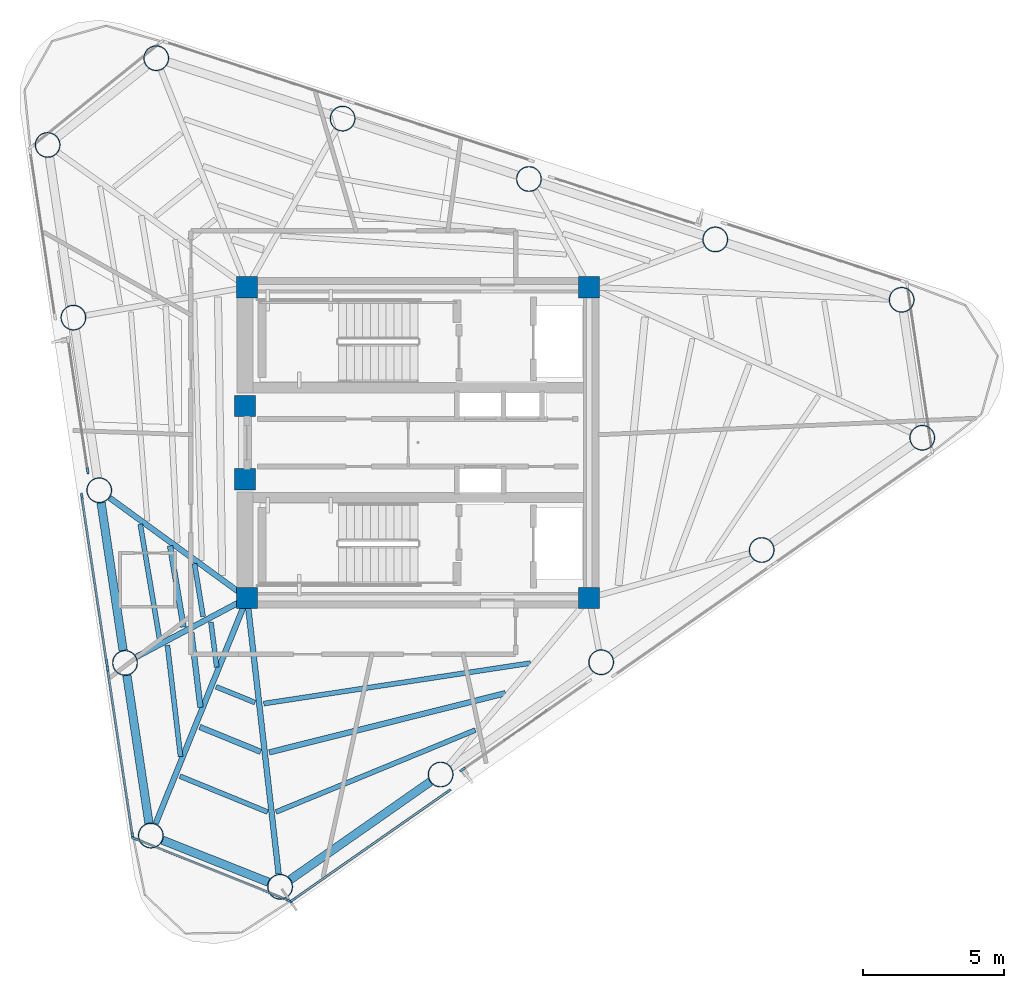
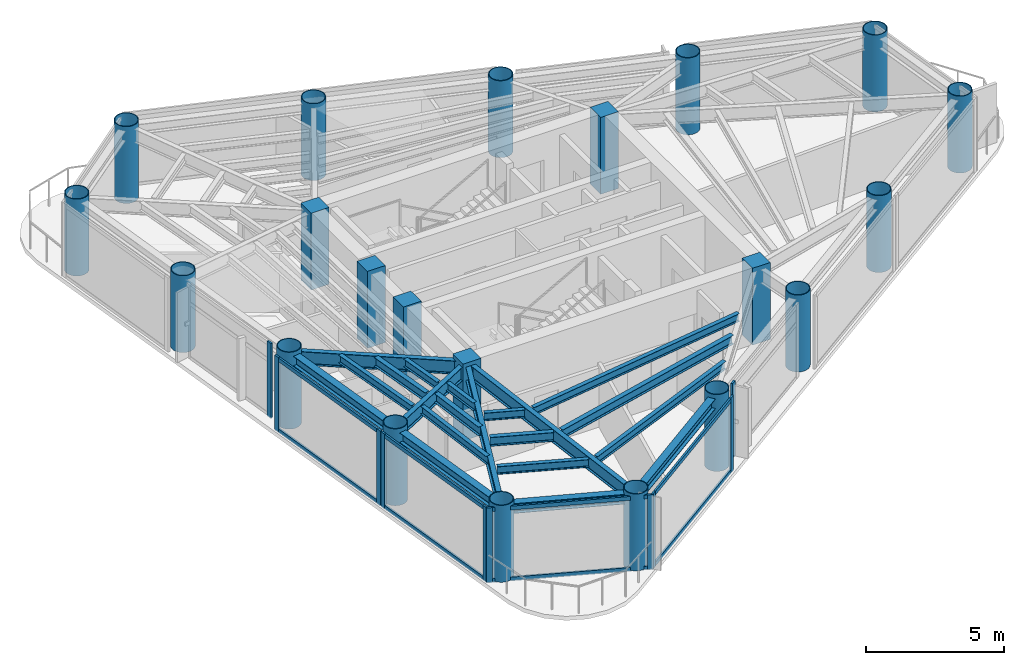
# One storey, part 1 of 9: 21 columns, 20 beams, 18 members, 6 elements without a shape of their own.
"""IFC4 building model written with IfcOpenShell, lengths in metres."""

import ifcopenshell
import ifcopenshell.guid

model = None  # the IFC model being written
_history = None  # IfcOwnerHistory: only IFC2X3 demands one
_inside = {}  # id of a spatial element -> (the spatial element, [elements in it])
_under = {}  # id of a project, library or spatial element -> (it, [spatial elements below it])
_declared = {}  # id of a project -> (the project, [libraries it declares])
_typed = {}  # id of a type object -> (the type object, [elements of that type])
_made_of = {}  # id of a material, layer set ... -> (it, [elements and type objects made of it])


def new_model(schema):
    """Start an empty IFC model of exactly this schema.

    Asked for "IFC4X3", IfcOpenShell would pick the latest addendum, in which some entities
    have other attributes; the version numbers below select the first issue.
    IFC2X3 requires an IfcOwnerHistory on every rooted entity: one is made here for all.
    """
    global model, _history
    if schema == "IFC4X3":
        model = ifcopenshell.file(schema_version=(4, 3, 0, 0))
    else:
        model = ifcopenshell.file(schema=schema)
    _inside.clear()
    _under.clear()
    _declared.clear()
    _typed.clear()
    _made_of.clear()
    _history = None
    if model.schema == "IFC2X3":
        org = make("IfcOrganization", Name="unknown")
        user = make(
            "IfcPersonAndOrganization",
            ThePerson=make("IfcPerson", FamilyName="unknown"),
            TheOrganization=org,
        )
        app = make(
            "IfcApplication",
            ApplicationDeveloper=org,
            Version="unknown",
            ApplicationFullName="unknown",
            ApplicationIdentifier="unknown",
        )
        _history = make(
            "IfcOwnerHistory",
            OwningUser=user,
            OwningApplication=app,
            ChangeAction="ADDED",
            CreationDate=0,
        )
    return model


def make(cls, **values):
    """One entity of the class cls with the attributes given. An attribute that is None is left unset."""
    return model.create_entity(
        cls, **{name: value for name, value in values.items() if value is not None}
    )


def rooted(cls, **values):
    """An entity with a GlobalId (a new one), such as an element, a storey or a relation."""
    return make(cls, GlobalId=ifcopenshell.guid.new(), OwnerHistory=_history, **values)


def si_unit(unit_type, name, prefix=None):
    """IfcSIUnit, for example si_unit("LENGTHUNIT", "METRE", prefix="MILLI")."""
    return make("IfcSIUnit", UnitType=unit_type, Prefix=prefix, Name=name)


def assignment(units):
    """IfcUnitAssignment: the units of a project."""
    return None if units is None else make("IfcUnitAssignment", Units=units)


def point(xyz):
    """IfcCartesianPoint."""
    return None if xyz is None else make("IfcCartesianPoint", Coordinates=xyz)


def direction(xyz):
    """IfcDirection."""
    return None if xyz is None else make("IfcDirection", DirectionRatios=xyz)


def frame(location, z_axis=None, x_axis=None):
    """IfcAxis2Placement3D, a coordinate frame: its origin and axes. An axis left out is left unset."""
    return make(
        "IfcAxis2Placement3D",
        Location=point(location),
        Axis=direction(z_axis),
        RefDirection=direction(x_axis),
    )


def frame_2d(location, x_axis=None):
    """IfcAxis2Placement2D, a coordinate frame in the plane: its origin and x axis."""
    return make(
        "IfcAxis2Placement2D", Location=point(location), RefDirection=direction(x_axis)
    )


def origin():
    """The frame at (0, 0, 0) with its axes left unset."""
    return frame((0.0, 0.0, 0.0))


def origin_2d():
    """The frame at (0, 0) in the plane with its x axis left unset."""
    return frame_2d((0.0, 0.0))


def place(relative_to, where):
    """IfcLocalPlacement: puts the frame where relative to a parent placement (None: the world)."""
    return make(
        "IfcLocalPlacement", PlacementRelTo=relative_to, RelativePlacement=where
    )


def context(
    kind, dimensions, precision=None, world=None, true_north=None, identifier=None
):
    """IfcGeometricRepresentationContext, for example the 3D "Model" context."""
    return make(
        "IfcGeometricRepresentationContext",
        ContextIdentifier=identifier,
        ContextType=kind,
        CoordinateSpaceDimension=dimensions,
        Precision=precision,
        WorldCoordinateSystem=world,
        TrueNorth=true_north,
    )


def subcontext(parent, identifier, kind, view, scale=None):
    """IfcGeometricRepresentationSubContext, for example "Body" below "Model"."""
    return make(
        "IfcGeometricRepresentationSubContext",
        ContextIdentifier=identifier,
        ContextType=kind,
        ParentContext=parent,
        TargetScale=scale,
        TargetView=view,
    )


def project(units=None, contexts=None):
    """IfcProject with its units and contexts."""
    return rooted(
        "IfcProject",
        Name="project",
        RepresentationContexts=contexts,
        UnitsInContext=assignment(units),
    )


def spatial(cls, under=None, at=None, **own):
    """A site, building, storey or space (cls), placed at a placement, below another one or the project."""
    s = rooted(cls, ObjectPlacement=at, **own)
    if under is not None:
        _under.setdefault(under.id(), (under, []))[1].append(s)
    return s


def profile(cls, at=None, kind="AREA", **sizes):
    """A parametric profile (cls). Its sizes go by their IFC names, for example OverallWidth=200.0."""
    return make(cls, ProfileType=kind, Position=at, **sizes)


def rectangle(**sizes):
    """IfcRectangleProfileDef."""
    return profile("IfcRectangleProfileDef", **sizes)


def hollow_circle(**sizes):
    """IfcCircleHollowProfileDef."""
    return profile("IfcCircleHollowProfileDef", **sizes)


def i_section(**sizes):
    """IfcIShapeProfileDef."""
    return profile("IfcIShapeProfileDef", **sizes)


def extrude(swept, where, along, depth):
    """IfcExtrudedAreaSolid: the profile swept, set in the frame where, extruded along a direction by depth."""
    return make(
        "IfcExtrudedAreaSolid",
        SweptArea=swept,
        Position=where,
        ExtrudedDirection=direction(along),
        Depth=depth,
    )


def shape(context_of_items, identifier, shape_type, items):
    """IfcShapeRepresentation: the items that make up one representation, for example the "Body"."""
    return make(
        "IfcShapeRepresentation",
        ContextOfItems=context_of_items,
        RepresentationIdentifier=identifier,
        RepresentationType=shape_type,
        Items=items,
    )


def source(mapping_origin, context_of_items, identifier, shape_type, items):
    """IfcRepresentationMap: a shape defined once, which mapped items show again and again."""
    return make(
        "IfcRepresentationMap",
        MappingOrigin=mapping_origin,
        MappedRepresentation=shape(context_of_items, identifier, shape_type, items),
    )


def transform(
    local_origin,
    x_axis=None,
    y_axis=None,
    z_axis=None,
    scale=None,
    scale2=None,
    scale3=None,
    uniform=True,
):
    """IfcCartesianTransformationOperator3D, or its non-uniform kind. x_axis, y_axis, z_axis: its Axis1, 2, 3."""
    if uniform:
        return make(
            "IfcCartesianTransformationOperator3D",
            Axis1=direction(x_axis),
            Axis2=direction(y_axis),
            LocalOrigin=point(local_origin),
            Scale=scale,
            Axis3=direction(z_axis),
        )
    return make(
        "IfcCartesianTransformationOperator3DnonUniform",
        Axis1=direction(x_axis),
        Axis2=direction(y_axis),
        LocalOrigin=point(local_origin),
        Scale=scale,
        Axis3=direction(z_axis),
        Scale2=scale2,
        Scale3=scale3,
    )


def mapped(mapping_source, mapping_target):
    """IfcMappedItem: shows the shape of a source again, moved by a transform."""
    return make(
        "IfcMappedItem", MappingSource=mapping_source, MappingTarget=mapping_target
    )


def material(Name=None, Category=None):
    """IfcMaterial."""
    return make("IfcMaterial", Name=Name, Category=Category)


def layer(
    of_material, thickness, ventilated=None, Name=None, Category=None, Priority=None
):
    """IfcMaterialLayer: one layer of a wall or slab, of a material (None: an air gap)."""
    return make(
        "IfcMaterialLayer",
        Material=of_material,
        LayerThickness=thickness,
        IsVentilated=ventilated,
        Name=Name,
        Category=Category,
        Priority=Priority,
    )


def layer_set(layers, Name=None):
    """IfcMaterialLayerSet."""
    return make("IfcMaterialLayerSet", MaterialLayers=layers, LayerSetName=Name)


def material_profile(
    of_material, cross_section, Name=None, Category=None, Priority=None
):
    """IfcMaterialProfile: a cross section and its material."""
    return make(
        "IfcMaterialProfile",
        Name=Name,
        Material=of_material,
        Profile=cross_section,
        Priority=Priority,
        Category=Category,
    )


def profile_set(profiles, Name=None, composite=None):
    """IfcMaterialProfileSet."""
    return make(
        "IfcMaterialProfileSet",
        Name=Name,
        MaterialProfiles=profiles,
        CompositeProfile=composite,
    )


def made_of(thing, what):
    """Note that an element or type object is made of a material, layer set ...; save() writes the relation."""
    if what is not None:
        _made_of.setdefault(what.id(), (what, []))[1].append(thing)
    return thing


def type_object(cls, material=None, **own):
    """A type object (cls), such as IfcWallType, which elements share."""
    return made_of(rooted(cls, **own), material)


def element(
    cls,
    number,
    at=None,
    inside=None,
    cuts=None,
    type_object=None,
    material=None,
    context=None,
    identifier="Body",
    shape_type=None,
    held_by="IfcProductDefinitionShape",
    body=None,
    shapes=None,
    **own,
):
    """One element of the class cls, such as IfcWall. Its Tag is "e" and its number.

    at: its placement. inside: the storey or other place that contains it. cuts: it is an
    opening in that element (IfcRelVoidsElement). A single representation is given by context,
    identifier, shape_type and body (its items); several are given by shapes. held_by: the class
    of the entity that holds the representations. save() writes the other relations.
    """
    e = rooted(cls, Tag="e%d" % number, ObjectPlacement=at, **own)
    if body is not None:
        shapes = [shape(context, identifier, shape_type, body)]
    if shapes is not None:
        e.Representation = make(held_by, Representations=shapes)
    if inside is not None:
        _inside.setdefault(inside.id(), (inside, []))[1].append(e)
    if cuts is not None:
        rooted(
            "IfcRelVoidsElement", RelatingBuildingElement=cuts, RelatedOpeningElement=e
        )
    if type_object is not None:
        _typed.setdefault(type_object.id(), (type_object, []))[1].append(e)
    return made_of(e, material)


def aggregate(whole, parts):
    """IfcRelAggregates: a whole, such as a stair, and the parts it consists of."""
    return rooted("IfcRelAggregates", RelatingObject=whole, RelatedObjects=parts)


def save(model, path):
    """Write the relations noted so far, then the file.

    IfcRelAggregates (storeys below a building ...), IfcRelContainedInSpatialStructure (elements
    in a storey), IfcRelDefinesByType, IfcRelAssociatesMaterial and IfcRelDeclares: one each for
    every whole, place, type object, material and project.
    """
    for whole, parts in _under.values():
        aggregate(whole, parts)
    for where, things in _inside.values():
        rooted(
            "IfcRelContainedInSpatialStructure",
            RelatedElements=things,
            RelatingStructure=where,
        )
    for kind, things in _typed.values():
        rooted("IfcRelDefinesByType", RelatedObjects=things, RelatingType=kind)
    for what, things in _made_of.values():
        rooted("IfcRelAssociatesMaterial", RelatedObjects=things, RelatingMaterial=what)
    for by, libraries in _declared.values():
        rooted("IfcRelDeclares", RelatingContext=by, RelatedDefinitions=libraries)
    model.write(path)


model = new_model("IFC4")

# Units and contexts
model_context = context("Model", 3, precision=1e-05, world=origin(), true_north=direction((0.0, 1.0)))
body_context = subcontext(model_context, "Body", "Model", "MODEL_VIEW")
ifc_project = project(units=[si_unit("LENGTHUNIT", "METRE"), si_unit("AREAUNIT", "SQUARE_METRE"), si_unit("VOLUMEUNIT", "CUBIC_METRE"), si_unit("PLANEANGLEUNIT", "RADIAN"), si_unit("MASSUNIT", "GRAM", prefix="KILO")], contexts=[model_context])

# Site, building, storey
site_placement = place(None, origin())
site = spatial("IfcSite", under=ifc_project, at=site_placement, CompositionType="ELEMENT")
building_placement = place(site_placement, origin())
building = spatial("IfcBuilding", under=site, at=building_placement, Name="Yunling Apex Tower", CompositionType="ELEMENT")
storey_placement = place(building_placement, frame((0.0, 0.0, 257.550048828125)))
storey = spatial("IfcBuildingStorey", under=building, at=storey_placement, Name="L62", CompositionType="ELEMENT", Elevation=257.550048828125)

# Columns
ifc_material_1 = material(Name="Concrete C50", Category="concrete")
ifc_material_profile_1 = material_profile(ifc_material_1, rectangle(XDim=0.75, YDim=0.75, at=origin_2d()))
ifc_profile_set_1 = profile_set([ifc_material_profile_1], Name="Concrete C50")
column_type_1 = type_object("IfcColumnType", Name="PC-SRC-4", PredefinedType="COLUMN", material=ifc_profile_set_1)
shared_shape_1 = source(origin(), body_context, "Body", "SweptSolid", [
    extrude(rectangle(XDim=0.75, YDim=0.75, at=origin_2d()), origin(), (0.0, 0.0, 1.0), 3.39990234375),
])
for number, where, z_axis, x_axis, name in (
    (1, (-6.050048828125, -5.5, 0.0), (0.0, 0.0, 1.0), (1.0, 0.0, 0.0), "L62 Core Spine Column CC-SW"),
    (2, (6.050048828125, -5.5, 0.0), (0.0, 0.0, 1.0), (1.0, 0.0, 0.0), "L62 Core Spine Column CC-SE"),
    (3, (6.050048828125, 5.5, 0.0), (0.0, 0.0, 1.0), (1.0, 0.0, 0.0), "L62 Core Spine Column CC-NE"),
    (4, (-6.050048828125, 5.5, 0.0), (0.0, 0.0, 1.0), (1.0, 0.0, 0.0), "L62 Core Spine Column CC-NW"),
    (5, (-6.125, -1.300048828125, 0.0), (0.0, 0.0, 1.0), (1.0, 0.0, 0.0), "L62 Core West Portal Jamb Column S"),
    (6, (-6.125, 1.300048828125, 0.0), (0.0, 0.0, 1.0), (1.0, 0.0, 0.0), "L62 Core West Portal Jamb Column N"),
):
    element("IfcColumn", number, at=place(storey_placement, frame(where, z_axis=z_axis, x_axis=x_axis)), inside=storey, type_object=column_type_1, Name=name, PredefinedType="COLUMN", context=body_context, shape_type="MappedRepresentation", body=[
        mapped(shared_shape_1, transform((0.0, 0.0, 0.0), scale=1.0)),
    ])
ifc_material_2 = material(Name="Steel Q355B", Category="steel")
ifc_material_profile_2 = material_profile(ifc_material_2, hollow_circle(Radius=0.449951171875, WallThickness=0.031982421875, at=origin_2d()))
ifc_profile_set_2 = profile_set([ifc_material_profile_2], Name="Steel Q355B")
column_type_2 = type_object("IfcColumnType", Name="MC-CFST-6", PredefinedType="COLUMN", material=ifc_profile_set_2)
shared_shape_2 = source(origin(), body_context, "Body", "SweptSolid", [
    extrude(hollow_circle(Radius=0.449951171875, WallThickness=0.031982421875, at=origin_2d()), origin(), (0.0, 0.0, 1.0), 3.39990234375),
])
for number, where, z_axis, x_axis, name in (
    (7, (-4.8837890625, -15.716796875, 0.0), (0.0, 0.0, 1.0), (1.0, 0.0, 0.0), "L62 Perimeter CFST Mega-Column P01"),
    (8, (0.797119140625, -11.744873046875, 0.0), (0.0, 0.0, 1.0), (1.0, 0.0, 0.0), "L62 Perimeter CFST Mega-Column P02"),
    (9, (6.47802734375, -7.77294921875, 0.0), (0.0, 0.0, 1.0), (1.0, 0.0, 0.0), "L62 Perimeter CFST Mega-Column P03"),
    (10, (12.15869140625, -3.801025390625, 0.0), (0.0, 0.0, 1.0), (1.0, 0.0, 0.0), "L62 Perimeter CFST Mega-Column P04"),
    (11, (17.839599609375, 0.1708984375, 0.0), (0.0, 0.0, 1.0), (1.0, 0.0, 0.0), "L62 Perimeter CFST Mega-Column P05"),
    (12, (17.110107421875, 5.052490234375, 0.0), (0.0, 0.0, 1.0), (1.0, 0.0, 0.0), "L62 Perimeter CFST Mega-Column P06"),
    (13, (10.51611328125, 7.18994140625, 0.0), (0.0, 0.0, 1.0), (1.0, 0.0, 0.0), "L62 Perimeter CFST Mega-Column P07"),
    (14, (3.92236328125, 9.327392578125, 0.0), (0.0, 0.0, 1.0), (1.0, 0.0, 0.0), "L62 Perimeter CFST Mega-Column P08"),
    (15, (-2.671630859375, 11.46484375, 0.0), (0.0, 0.0, 1.0), (1.0, 0.0, 0.0), "L62 Perimeter CFST Mega-Column P09"),
    (16, (-9.265625, 13.602294921875, 0.0), (0.0, 0.0, 1.0), (1.0, 0.0, 0.0), "L62 Perimeter CFST Mega-Column P10"),
    (17, (-13.10986328125, 10.532470703125, 0.0), (0.0, 0.0, 1.0), (1.0, 0.0, 0.0), "L62 Perimeter CFST Mega-Column P11"),
    (18, (-12.19677734375, 4.423095703125, 0.0), (0.0, 0.0, 1.0), (1.0, 0.0, 0.0), "L62 Perimeter CFST Mega-Column P12"),
    (19, (-11.28369140625, -1.686279296875, 0.0), (0.0, 0.0, 1.0), (1.0, 0.0, 0.0), "L62 Perimeter CFST Mega-Column P13"),
    (20, (-10.37060546875, -7.7958984375, 0.0), (0.0, 0.0, 1.0), (1.0, 0.0, 0.0), "L62 Perimeter CFST Mega-Column P14"),
    (21, (-9.45751953125, -13.9052734375, 0.0), (0.0, 0.0, 1.0), (1.0, 0.0, 0.0), "L62 Perimeter CFST Mega-Column P15"),
):
    element("IfcColumn", number, at=place(storey_placement, frame(where, z_axis=z_axis, x_axis=x_axis)), inside=storey, type_object=column_type_2, Name=name, PredefinedType="COLUMN", context=body_context, shape_type="MappedRepresentation", body=[
        mapped(shared_shape_2, transform((0.0, 0.0, 0.0), scale=1.0)),
    ])

# Beams
ifc_material_profile_3 = material_profile(ifc_material_2, i_section(OverallWidth=0.300048828125, OverallDepth=0.43994140625, WebThickness=0.010986328125, FlangeThickness=0.01806640625, FilletRadius=0.02197265625, at=origin_2d()))
ifc_profile_set_3 = profile_set([ifc_material_profile_3], Name="Steel Q355B")
beam_type_1 = type_object("IfcBeamType", Name="BP-SPN-3", PredefinedType="SPANDREL", material=ifc_profile_set_3)
shared_shape_3 = source(origin(), body_context, "Body", "SweptSolid", [
    extrude(i_section(OverallWidth=0.300048828125, OverallDepth=0.43994140625, WebThickness=0.010986328125, FlangeThickness=0.01806640625, FilletRadius=0.02197265625, at=origin_2d()), origin(), (0.0, 0.0, 1.0), 6.043701171875),
])
beam_1_placement = place(storey_placement, frame((-4.52001953125, -15.46240234375, 3.0), z_axis=(0.819546828705, 0.5730122124, 0.0), x_axis=(-0.5730122124, 0.819546828705, 0.0)))
element("IfcBeam", 22, at=beam_1_placement, inside=storey, type_object=beam_type_1, Name="L62 Perimeter Spandrel Beam 1", PredefinedType="SPANDREL", context=body_context, shape_type="MappedRepresentation", body=[
    mapped(shared_shape_3, transform((0.0, 0.0, 0.0), scale=1.0)),
])
shared_shape_4 = source(origin(), body_context, "Body", "SweptSolid", [
    extrude(i_section(OverallWidth=0.300048828125, OverallDepth=0.43994140625, WebThickness=0.010986328125, FlangeThickness=0.01806640625, FilletRadius=0.02197265625, at=origin_2d()), origin(), (0.0, 0.0, 1.0), 5.289306640625),
])
for number, where, z_axis, x_axis, name in (
    (23, (-11.218017578125, -2.12548828125, 3.0), (0.147796471114, -0.989017797174, 0.0), (0.989017797174, 0.147796471114, 0.0), "L62 Perimeter Spandrel Beam 13"),
    (24, (-10.304931640625, -8.23486328125, 3.0), (0.147796471114, -0.989017797174, 0.0), (0.989017797174, 0.147796471114, 0.0), "L62 Perimeter Spandrel Beam 14"),
):
    element("IfcBeam", number, at=place(storey_placement, frame(where, z_axis=z_axis, x_axis=x_axis)), inside=storey, type_object=beam_type_1, Name=name, PredefinedType="SPANDREL", context=body_context, shape_type="MappedRepresentation", body=[
        mapped(shared_shape_4, transform((0.0, 0.0, 0.0), scale=1.0)),
    ])
shared_shape_5 = source(origin(), body_context, "Body", "SweptSolid", [
    extrude(i_section(OverallWidth=0.300048828125, OverallDepth=0.43994140625, WebThickness=0.010986328125, FlangeThickness=0.01806640625, FilletRadius=0.02197265625, at=origin_2d()), origin(), (0.0, 0.0, 1.0), 4.03173828125),
])
beam_2_placement = place(storey_placement, frame((-9.044921875, -14.068603515625, 3.0), z_axis=(0.92970771396, -0.368298203368, 0.0), x_axis=(0.368298203368, 0.92970771396, 0.0)))
element("IfcBeam", 25, at=beam_2_placement, inside=storey, type_object=beam_type_1, Name="L62 Perimeter Spandrel Beam 15", PredefinedType="SPANDREL", context=body_context, shape_type="MappedRepresentation", body=[
    mapped(shared_shape_5, transform((0.0, 0.0, 0.0), scale=1.0)),
])
ifc_material_profile_4 = material_profile(ifc_material_2, i_section(OverallWidth=0.199951171875, OverallDepth=0.60009765625, WebThickness=0.010986328125, FlangeThickness=0.01708984375, FilletRadius=0.02197265625, at=origin_2d()))
ifc_profile_set_4 = profile_set([ifc_material_profile_4], Name="Steel Q355B")
beam_type_2 = type_object("IfcBeamType", Name="BG-PRI-5", PredefinedType="USERDEFINED", material=ifc_profile_set_4)
shared_shape_6 = source(origin(), body_context, "Body", "SweptSolid", [
    extrude(i_section(OverallWidth=0.199951171875, OverallDepth=0.60009765625, WebThickness=0.010986328125, FlangeThickness=0.01708984375, FilletRadius=0.02197265625, at=origin_2d()), origin(), (0.0, 0.0, 1.0), 9.745361328125),
])
beam_3_placement = place(storey_placement, frame((-4.935791015625, -15.261962890625, 2.919921875), z_axis=(-0.11341163891, 0.993548086486, 0.0), x_axis=(-0.993548086486, -0.11341163891, 0.0)))
element("IfcBeam", 26, at=beam_3_placement, inside=storey, type_object=beam_type_2, Name="L62 Radial Primary Girder R01", ObjectType="GIRDER", PredefinedType="USERDEFINED", context=body_context, shape_type="MappedRepresentation", body=[
    mapped(shared_shape_6, transform((0.0, 0.0, 0.0), scale=1.0)),
])
shared_shape_7 = source(origin(), body_context, "Body", "SweptSolid", [
    extrude(i_section(OverallWidth=0.199951171875, OverallDepth=0.60009765625, WebThickness=0.010986328125, FlangeThickness=0.01708984375, FilletRadius=0.02197265625, at=origin_2d()), origin(), (0.0, 0.0, 1.0), 5.937744140625),
])
beam_4_placement = place(storey_placement, frame((-10.91357421875, -1.9560546875, 2.919921875), z_axis=(0.808193442209, -0.588917107894, 0.0), x_axis=(0.588917107894, 0.808193442209, 0.0)))
element("IfcBeam", 27, at=beam_4_placement, inside=storey, type_object=beam_type_2, Name="L62 Radial Primary Girder R13", ObjectType="GIRDER", PredefinedType="USERDEFINED", context=body_context, shape_type="MappedRepresentation", body=[
    mapped(shared_shape_7, transform((0.0, 0.0, 0.0), scale=1.0)),
])
shared_shape_8 = source(origin(), body_context, "Body", "SweptSolid", [
    extrude(i_section(OverallWidth=0.199951171875, OverallDepth=0.60009765625, WebThickness=0.010986328125, FlangeThickness=0.01708984375, FilletRadius=0.02197265625, at=origin_2d()), origin(), (0.0, 0.0, 1.0), 4.354736328125),
])
beam_5_placement = place(storey_placement, frame((-9.96630859375, -7.580810546875, 2.919921875), z_axis=(0.883098298021, 0.469188017784, 0.0), x_axis=(-0.469188017784, 0.883098298021, 0.0)))
element("IfcBeam", 28, at=beam_5_placement, inside=storey, type_object=beam_type_2, Name="L62 Radial Primary Girder R14", ObjectType="GIRDER", PredefinedType="USERDEFINED", context=body_context, shape_type="MappedRepresentation", body=[
    mapped(shared_shape_8, transform((0.0, 0.0, 0.0), scale=1.0)),
])
shared_shape_9 = source(origin(), body_context, "Body", "SweptSolid", [
    extrude(i_section(OverallWidth=0.199951171875, OverallDepth=0.60009765625, WebThickness=0.010986328125, FlangeThickness=0.01708984375, FilletRadius=0.02197265625, at=origin_2d()), origin(), (0.0, 0.0, 1.0), 8.531494140625),
])
beam_6_placement = place(storey_placement, frame((-9.285400390625, -13.480712890625, 2.919921875), z_axis=(0.375703780252, 0.926739806798, 0.0), x_axis=(-0.926739806798, 0.375703780252, 0.0)))
element("IfcBeam", 29, at=beam_6_placement, inside=storey, type_object=beam_type_2, Name="L62 Radial Primary Girder R15", ObjectType="GIRDER", PredefinedType="USERDEFINED", context=body_context, shape_type="MappedRepresentation", body=[
    mapped(shared_shape_9, transform((0.0, 0.0, 0.0), scale=1.0)),
])
ifc_material_profile_5 = material_profile(ifc_material_2, i_section(OverallWidth=0.199951171875, OverallDepth=0.39990234375, WebThickness=0.008056640625, FlangeThickness=0.012939453125, FilletRadius=0.01611328125, at=origin_2d()))
ifc_profile_set_5 = profile_set([ifc_material_profile_5], Name="Steel Q355B")
beam_type_3 = type_object("IfcBeamType", Name="BS-SEC-4", PredefinedType="BEAM", material=ifc_profile_set_5)
shared_shape_10 = source(origin(), body_context, "Body", "SweptSolid", [
    extrude(i_section(OverallWidth=0.199951171875, OverallDepth=0.39990234375, WebThickness=0.008056640625, FlangeThickness=0.012939453125, FilletRadius=0.01611328125, at=origin_2d()), origin(), (0.0, 0.0, 1.0), 8.62109375),
])
beam_7_placement = place(storey_placement, frame((-5.266845703125, -10.962646484375, 3.02001953125), z_axis=(0.96999740229, 0.243115280374, 0.0), x_axis=(-0.243115280374, 0.96999740229, 0.0)))
element("IfcBeam", 30, at=beam_7_placement, inside=storey, type_object=beam_type_3, Name="L62 Composite Floor Beam BS-1", PredefinedType="BEAM", context=body_context, shape_type="MappedRepresentation", body=[
    mapped(shared_shape_10, transform((0.0, 0.0, 0.0), scale=1.0)),
])
ifc_material_profile_6 = material_profile(ifc_material_2, i_section(OverallWidth=0.175048828125, OverallDepth=0.35009765625, WebThickness=0.007080078125, FlangeThickness=0.010986328125, FilletRadius=0.013916015625, at=origin_2d()))
ifc_profile_set_6 = profile_set([ifc_material_profile_6], Name="Steel Q355B")
beam_type_4 = type_object("IfcBeamType", Name="BJ-JST-1", PredefinedType="JOIST", material=ifc_profile_set_6)
shared_shape_11 = source(origin(), body_context, "Body", "SweptSolid", [
    extrude(i_section(OverallWidth=0.175048828125, OverallDepth=0.35009765625, WebThickness=0.007080078125, FlangeThickness=0.010986328125, FilletRadius=0.013916015625, at=origin_2d()), origin(), (0.0, 0.0, 1.0), 7.626953125),
])
beam_8_placement = place(storey_placement, frame((-5.031005859375, -13.071044921875, 3.044921875), z_axis=(0.924936429691, 0.380121823934, 0.0), x_axis=(-0.380121823934, 0.924936429691, 0.0)))
element("IfcBeam", 31, at=beam_8_placement, inside=storey, type_object=beam_type_4, Name="L62 Composite Floor Joist BJ1-1", PredefinedType="JOIST", context=body_context, shape_type="MappedRepresentation", body=[
    mapped(shared_shape_11, transform((0.0, 0.0, 0.0), scale=1.0)),
])
shared_shape_12 = source(origin(), body_context, "Body", "SweptSolid", [
    extrude(i_section(OverallWidth=0.175048828125, OverallDepth=0.35009765625, WebThickness=0.007080078125, FlangeThickness=0.010986328125, FilletRadius=0.013916015625, at=origin_2d()), origin(), (0.0, 0.0, 1.0), 9.546630859375),
])
beam_9_placement = place(storey_placement, frame((-5.462646484375, -9.23486328125, 3.044921875), z_axis=(0.988668394837, 0.150115972004, 0.0), x_axis=(-0.150115972004, 0.988668394837, 0.0)))
element("IfcBeam", 32, at=beam_9_placement, inside=storey, type_object=beam_type_4, Name="L62 Composite Floor Joist BJ3-1", PredefinedType="JOIST", context=body_context, shape_type="MappedRepresentation", body=[
    mapped(shared_shape_12, transform((0.0, 0.0, 0.0), scale=1.0)),
])
shared_shape_13 = source(origin(), body_context, "Body", "SweptSolid", [
    extrude(i_section(OverallWidth=0.199951171875, OverallDepth=0.39990234375, WebThickness=0.008056640625, FlangeThickness=0.012939453125, FilletRadius=0.01611328125, at=origin_2d()), origin(), (0.0, 0.0, 1.0), 2.910400390625),
])
beam_10_placement = place(storey_placement, frame((-8.77587890625, -3.652587890625, 3.02001953125), z_axis=(0.163405899616, -0.986558924733, 0.0), x_axis=(0.986558924733, 0.163405899616, 0.0)))
element("IfcBeam", 33, at=beam_10_placement, inside=storey, type_object=beam_type_3, Name="L62 Composite Floor Beam BS-13", PredefinedType="BEAM", context=body_context, shape_type="MappedRepresentation", body=[
    mapped(shared_shape_13, transform((0.0, 0.0, 0.0), scale=1.0)),
])
shared_shape_14 = source(origin(), body_context, "Body", "SweptSolid", [
    extrude(i_section(OverallWidth=0.175048828125, OverallDepth=0.35009765625, WebThickness=0.007080078125, FlangeThickness=0.010986328125, FilletRadius=0.013916015625, at=origin_2d()), origin(), (0.0, 0.0, 1.0), 4.14697265625),
])
beam_11_placement = place(storey_placement, frame((-9.831298828125, -2.88330078125, 3.044921875), z_axis=(0.165134037528, -0.986271133943, 0.0), x_axis=(0.986271133943, 0.165134037528, 0.0)))
element("IfcBeam", 34, at=beam_11_placement, inside=storey, type_object=beam_type_4, Name="L62 Composite Floor Joist BJ1-13", PredefinedType="JOIST", context=body_context, shape_type="MappedRepresentation", body=[
    mapped(shared_shape_14, transform((0.0, 0.0, 0.0), scale=1.0)),
])
shared_shape_15 = source(origin(), body_context, "Body", "SweptSolid", [
    extrude(i_section(OverallWidth=0.175048828125, OverallDepth=0.35009765625, WebThickness=0.007080078125, FlangeThickness=0.010986328125, FilletRadius=0.013916015625, at=origin_2d()), origin(), (0.0, 0.0, 1.0), 1.898681640625),
])
beam_12_placement = place(storey_placement, frame((-7.91259765625, -4.281982421875, 3.044921875), z_axis=(0.160602772894, -0.987019123087, 0.0), x_axis=(0.987019123087, 0.160602772894, 0.0)))
element("IfcBeam", 35, at=beam_12_placement, inside=storey, type_object=beam_type_4, Name="L62 Composite Floor Joist BJ3-13", PredefinedType="JOIST", context=body_context, shape_type="MappedRepresentation", body=[
    mapped(shared_shape_15, transform((0.0, 0.0, 0.0), scale=1.0)),
])
shared_shape_16 = source(origin(), body_context, "Body", "SweptSolid", [
    extrude(i_section(OverallWidth=0.199951171875, OverallDepth=0.39990234375, WebThickness=0.008056640625, FlangeThickness=0.012939453125, FilletRadius=0.01611328125, at=origin_2d()), origin(), (0.0, 0.0, 1.0), 2.670166015625),
])
beam_13_placement = place(storey_placement, frame((-8.024169921875, -6.718017578125, 3.02001953125), z_axis=(0.12060169382, -0.992700977862, 0.0), x_axis=(0.992700977862, 0.12060169382, 0.0)))
element("IfcBeam", 36, at=beam_13_placement, inside=storey, type_object=beam_type_3, Name="L62 Composite Floor Beam BS-14", PredefinedType="BEAM", context=body_context, shape_type="MappedRepresentation", body=[
    mapped(shared_shape_16, transform((0.0, 0.0, 0.0), scale=1.0)),
])
shared_shape_17 = source(origin(), body_context, "Body", "SweptSolid", [
    extrude(i_section(OverallWidth=0.175048828125, OverallDepth=0.35009765625, WebThickness=0.007080078125, FlangeThickness=0.010986328125, FilletRadius=0.013916015625, at=origin_2d()), origin(), (0.0, 0.0, 1.0), 3.96728515625),
])
beam_14_placement = place(storey_placement, frame((-8.87060546875, -7.167724609375, 3.044921875), z_axis=(0.116919795798, -0.993141360205, 0.0), x_axis=(0.993141360205, 0.116919795798, 0.0)))
element("IfcBeam", 37, at=beam_14_placement, inside=storey, type_object=beam_type_4, Name="L62 Composite Floor Joist BJ1-14", PredefinedType="JOIST", context=body_context, shape_type="MappedRepresentation", body=[
    mapped(shared_shape_17, transform((0.0, 0.0, 0.0), scale=1.0)),
])
shared_shape_18 = source(origin(), body_context, "Body", "SweptSolid", [
    extrude(i_section(OverallWidth=0.175048828125, OverallDepth=0.35009765625, WebThickness=0.007080078125, FlangeThickness=0.010986328125, FilletRadius=0.013916015625, at=origin_2d()), origin(), (0.0, 0.0, 1.0), 1.608642578125),
])
beam_15_placement = place(storey_placement, frame((-7.330810546875, -6.35009765625, 3.044921875), z_axis=(0.12719111786, -0.99187822818, 0.0), x_axis=(0.99187822818, 0.12719111786, 0.0)))
element("IfcBeam", 38, at=beam_15_placement, inside=storey, type_object=beam_type_4, Name="L62 Composite Floor Joist BJ3-14", PredefinedType="JOIST", context=body_context, shape_type="MappedRepresentation", body=[
    mapped(shared_shape_18, transform((0.0, 0.0, 0.0), scale=1.0)),
])
shared_shape_19 = source(origin(), body_context, "Body", "SweptSolid", [
    extrude(i_section(OverallWidth=0.199951171875, OverallDepth=0.39990234375, WebThickness=0.008056640625, FlangeThickness=0.012939453125, FilletRadius=0.01611328125, at=origin_2d()), origin(), (0.0, 0.0, 1.0), 2.3291015625),
])
beam_16_placement = place(storey_placement, frame((-7.72705078125, -10.062255859375, 3.02001953125), z_axis=(0.926020445617, -0.377473355747, 0.0), x_axis=(0.377473355747, 0.926020445617, 0.0)))
element("IfcBeam", 39, at=beam_16_placement, inside=storey, type_object=beam_type_3, Name="L62 Composite Floor Beam BS-15", PredefinedType="BEAM", context=body_context, shape_type="MappedRepresentation", body=[
    mapped(shared_shape_19, transform((0.0, 0.0, 0.0), scale=1.0)),
])
shared_shape_20 = source(origin(), body_context, "Body", "SweptSolid", [
    extrude(i_section(OverallWidth=0.175048828125, OverallDepth=0.35009765625, WebThickness=0.007080078125, FlangeThickness=0.010986328125, FilletRadius=0.013916015625, at=origin_2d()), origin(), (0.0, 0.0, 1.0), 3.354736328125),
])
beam_17_placement = place(storey_placement, frame((-8.43212890625, -11.802001953125, 3.044921875), z_axis=(0.925654732165, -0.378369286306, 0.0), x_axis=(0.378369286306, 0.925654732165, 0.0)))
element("IfcBeam", 40, at=beam_17_placement, inside=storey, type_object=beam_type_4, Name="L62 Composite Floor Joist BJ1-15", PredefinedType="JOIST", context=body_context, shape_type="MappedRepresentation", body=[
    mapped(shared_shape_20, transform((0.0, 0.0, 0.0), scale=1.0)),
])
shared_shape_21 = source(origin(), body_context, "Body", "SweptSolid", [
    extrude(i_section(OverallWidth=0.175048828125, OverallDepth=0.35009765625, WebThickness=0.007080078125, FlangeThickness=0.010986328125, FilletRadius=0.013916015625, at=origin_2d()), origin(), (0.0, 0.0, 1.0), 1.48974609375),
])
beam_18_placement = place(storey_placement, frame((-7.14990234375, -8.638916015625, 3.044921875), z_axis=(0.926714592409, -0.375765970008, 0.0), x_axis=(0.375765970008, 0.926714592409, 0.0)))
element("IfcBeam", 41, at=beam_18_placement, inside=storey, type_object=beam_type_4, Name="L62 Composite Floor Joist BJ3-15", PredefinedType="JOIST", context=body_context, shape_type="MappedRepresentation", body=[
    mapped(shared_shape_21, transform((0.0, 0.0, 0.0), scale=1.0)),
])

# Curtain wall, members
ifc_material_3 = material(Name="Bronze anodised aluminium", Category="aluminium")
ifc_layer = layer(ifc_material_3, 0.219970703125)
ifc_layer_set = layer_set([ifc_layer], Name="Bronze anodised aluminium")
curtain_wall_type = type_object("IfcCurtainWallType", Name="CW-SYS-4", PredefinedType="NOTDEFINED", material=ifc_layer_set)
curtain_wall_1_placement = place(storey_placement, origin())
curtain_wall_1 = element("IfcCurtainWall", 42, at=curtain_wall_1_placement, inside=storey, type_object=curtain_wall_type, Name="CW-L62-F1-B1", PredefinedType="NOTDEFINED")
ifc_material_profile_7 = material_profile(ifc_material_3, rectangle(XDim=0.080078125, YDim=0.219970703125, at=origin_2d()))
ifc_profile_set_7 = profile_set([ifc_material_profile_7], Name="Bronze anodised aluminium")
member_type_1 = type_object("IfcMemberType", Name="CW-MUL-4", PredefinedType="MULLION", material=ifc_profile_set_7)
shared_shape_22 = source(origin(), body_context, "Body", "SweptSolid", [
    extrude(rectangle(XDim=0.080078125, YDim=0.219970703125, at=origin_2d()), origin(), (0.0, 0.0, 1.0), 3.320068359375),
])
member_1_placement = place(storey_placement, frame((-4.418701171875, -16.172607421875, -0.050048828125), z_axis=(0.0, 0.0, 1.0), x_axis=(-0.573000403744, 0.819555084976, 0.0)))
member_1 = element("IfcMember", 43, at=member_1_placement, type_object=member_type_1, Name="CW-SYS-4 mullion 1", PredefinedType="MULLION", context=body_context, shape_type="MappedRepresentation", body=[
    mapped(shared_shape_22, transform((0.0, 0.0, 0.0), scale=1.0)),
])
member_2_placement = place(storey_placement, frame((1.0654296875, -12.338134765625, -0.050048828125), z_axis=(0.0, 0.0, 1.0), x_axis=(-0.573000403744, 0.819555084976, 0.0)))
member_2 = element("IfcMember", 44, at=member_2_placement, type_object=member_type_1, Name="CW-SYS-4 mullion 2", PredefinedType="MULLION", context=body_context, shape_type="MappedRepresentation", body=[
    mapped(shared_shape_22, transform((0.0, 0.0, 0.0), scale=1.0)),
])

# Curtain wall, member
curtain_wall_2_placement = place(storey_placement, origin())
curtain_wall_2 = element("IfcCurtainWall", 45, at=curtain_wall_2_placement, inside=storey, type_object=curtain_wall_type, Name="CW-L62-F1-B2", PredefinedType="NOTDEFINED")
member_3_placement = place(storey_placement, frame((1.575439453125, -11.56689453125, -0.050048828125), z_axis=(0.0, 0.0, 1.0), x_axis=(-0.57299879219, 0.819556211708, 0.0)))
member_3 = element("IfcMember", 46, at=member_3_placement, type_object=member_type_1, Name="CW-SYS-4 mullion 1", PredefinedType="MULLION", context=body_context, shape_type="MappedRepresentation", body=[
    mapped(shared_shape_22, transform((0.0, 0.0, 0.0), scale=1.0)),
])
aggregate(curtain_wall_2, [member_3])

curtain_wall_3_placement = place(storey_placement, origin())
curtain_wall_3 = element("IfcCurtainWall", 47, at=curtain_wall_3_placement, inside=storey, type_object=curtain_wall_type, Name="CW-L62-F3-B2", PredefinedType="NOTDEFINED")
member_4_placement = place(storey_placement, frame((-11.689697265625, -0.998779296875, -0.050048828125), z_axis=(0.0, 0.0, 1.0), x_axis=(0.989016661745, 0.147804068926, 0.0)))
member_4 = element("IfcMember", 48, at=member_4_placement, type_object=member_type_1, Name="CW-SYS-4 mullion 2", PredefinedType="MULLION", context=body_context, shape_type="MappedRepresentation", body=[
    mapped(shared_shape_22, transform((0.0, 0.0, 0.0), scale=1.0)),
])
aggregate(curtain_wall_3, [member_4])

# Curtain wall, members
curtain_wall_4_placement = place(storey_placement, origin())
curtain_wall_4 = element("IfcCurtainWall", 49, at=curtain_wall_4_placement, inside=storey, type_object=curtain_wall_type, Name="CW-L62-F3-B3", PredefinedType="NOTDEFINED")
member_5_placement = place(storey_placement, frame((-11.89892578125, -1.899658203125, -0.050048828125), z_axis=(0.0, 0.0, 1.0), x_axis=(0.989016174309, 0.147807330522, 0.0)))
member_5 = element("IfcMember", 50, at=member_5_placement, type_object=member_type_1, Name="CW-SYS-4 mullion 1", PredefinedType="MULLION", context=body_context, shape_type="MappedRepresentation", body=[
    mapped(shared_shape_22, transform((0.0, 0.0, 0.0), scale=1.0)),
])
member_6_placement = place(storey_placement, frame((-11.021240234375, -7.771728515625, -0.050048828125), z_axis=(0.0, 0.0, 1.0), x_axis=(0.989016174309, 0.147807330522, 0.0)))
member_6 = element("IfcMember", 51, at=member_6_placement, type_object=member_type_1, Name="CW-SYS-4 mullion 2", PredefinedType="MULLION", context=body_context, shape_type="MappedRepresentation", body=[
    mapped(shared_shape_22, transform((0.0, 0.0, 0.0), scale=1.0)),
])

curtain_wall_5_placement = place(storey_placement, origin())
curtain_wall_5 = element("IfcCurtainWall", 52, at=curtain_wall_5_placement, inside=storey, type_object=curtain_wall_type, Name="CW-L62-F3-B4", PredefinedType="NOTDEFINED")
member_7_placement = place(storey_placement, frame((-10.98583984375, -8.009033203125, -0.050048828125), z_axis=(0.0, 0.0, 1.0), x_axis=(0.989018603576, 0.147791074763, 0.0)))
member_7 = element("IfcMember", 53, at=member_7_placement, type_object=member_type_1, Name="CW-SYS-4 mullion 1", PredefinedType="MULLION", context=body_context, shape_type="MappedRepresentation", body=[
    mapped(shared_shape_22, transform((0.0, 0.0, 0.0), scale=1.0)),
])
member_8_placement = place(storey_placement, frame((-10.1083984375, -13.881103515625, -0.050048828125), z_axis=(0.0, 0.0, 1.0), x_axis=(0.989018603576, 0.147791074763, 0.0)))
member_8 = element("IfcMember", 54, at=member_8_placement, type_object=member_type_1, Name="CW-SYS-4 mullion 2", PredefinedType="MULLION", context=body_context, shape_type="MappedRepresentation", body=[
    mapped(shared_shape_22, transform((0.0, 0.0, 0.0), scale=1.0)),
])

curtain_wall_6_placement = place(storey_placement, origin())
curtain_wall_6 = element("IfcCurtainWall", 55, at=curtain_wall_6_placement, inside=storey, type_object=curtain_wall_type, Name="CW-L62-CRN3", PredefinedType="NOTDEFINED")
member_9_placement = place(storey_placement, frame((-10.03369140625, -14.01171875, -0.050048828125), z_axis=(0.0, 0.0, 1.0), x_axis=(0.373009384078, 0.927827569859, 0.0)))
member_9 = element("IfcMember", 56, at=member_9_placement, type_object=member_type_1, Name="CW-SYS-4 mullion 1", PredefinedType="MULLION", context=body_context, shape_type="MappedRepresentation", body=[
    mapped(shared_shape_22, transform((0.0, 0.0, 0.0), scale=1.0)),
])
member_10_placement = place(storey_placement, frame((-4.565673828125, -16.2099609375, -0.050048828125), z_axis=(0.0, 0.0, 1.0), x_axis=(0.373009384078, 0.927827569859, 0.0)))
member_10 = element("IfcMember", 57, at=member_10_placement, type_object=member_type_1, Name="CW-SYS-4 mullion 2", PredefinedType="MULLION", context=body_context, shape_type="MappedRepresentation", body=[
    mapped(shared_shape_22, transform((0.0, 0.0, 0.0), scale=1.0)),
])

# Member
ifc_material_profile_8 = material_profile(ifc_material_3, rectangle(XDim=0.080078125, YDim=0.169921875, at=origin_2d()))
ifc_profile_set_8 = profile_set([ifc_material_profile_8], Name="Bronze anodised aluminium")
member_type_2 = type_object("IfcMemberType", Name="CW-TRN-4", PredefinedType="USERDEFINED", material=ifc_profile_set_8)
shared_shape_23 = source(origin(), body_context, "Body", "SweptSolid", [
    extrude(rectangle(XDim=0.080078125, YDim=0.169921875, at=origin_2d()), origin(), (0.0, 0.0, 1.0), 6.61962890625),
])
member_11_placement = place(storey_placement, frame((-4.389404296875, -16.15185546875, 0.0400390625), z_axis=(0.819567916002, 0.572982051255, 0.0), x_axis=(-0.572982051255, 0.819567916002, 0.0)))
member_11 = element("IfcMember", 58, at=member_11_placement, type_object=member_type_2, Name="CW-SYS-4 transom 1.1", ObjectType="TRANSOM", PredefinedType="USERDEFINED", context=body_context, shape_type="MappedRepresentation", body=[
    mapped(shared_shape_23, transform((0.0, 0.0, 0.0), scale=1.0)),
])

member_12_placement = place(storey_placement, frame((-4.389404296875, -16.15185546875, 3.179931640625), z_axis=(0.819567916002, 0.572982051255, 0.0), x_axis=(-0.572982051255, 0.819567916002, 0.0)))
member_12 = element("IfcMember", 59, at=member_12_placement, type_object=member_type_2, Name="CW-SYS-4 transom 1.2", ObjectType="TRANSOM", PredefinedType="USERDEFINED", context=body_context, shape_type="MappedRepresentation", body=[
    mapped(shared_shape_23, transform((0.0, 0.0, 0.0), scale=1.0)),
])

aggregate(curtain_wall_1, [member_1, member_2, member_11, member_12])

shared_shape_24 = source(origin(), body_context, "Body", "SweptSolid", [
    extrude(rectangle(XDim=0.080078125, YDim=0.169921875, at=origin_2d()), origin(), (0.0, 0.0, 1.0), 5.8212890625),
])
member_13_placement = place(storey_placement, frame((-10.000244140625, -14.025146484375, 0.0400390625), z_axis=(0.927827385224, -0.373009843339, 0.0), x_axis=(0.373009843339, 0.927827385224, 0.0)))
member_13 = element("IfcMember", 60, at=member_13_placement, type_object=member_type_2, Name="CW-SYS-4 transom 1.1", ObjectType="TRANSOM", PredefinedType="USERDEFINED", context=body_context, shape_type="MappedRepresentation", body=[
    mapped(shared_shape_24, transform((0.0, 0.0, 0.0), scale=1.0)),
])

member_14_placement = place(storey_placement, frame((-10.000244140625, -14.025146484375, 3.179931640625), z_axis=(0.927827385224, -0.373009843339, 0.0), x_axis=(0.373009843339, 0.927827385224, 0.0)))
member_14 = element("IfcMember", 61, at=member_14_placement, type_object=member_type_2, Name="CW-SYS-4 transom 1.2", ObjectType="TRANSOM", PredefinedType="USERDEFINED", context=body_context, shape_type="MappedRepresentation", body=[
    mapped(shared_shape_24, transform((0.0, 0.0, 0.0), scale=1.0)),
])

aggregate(curtain_wall_6, [member_9, member_10, member_13, member_14])

shared_shape_25 = source(origin(), body_context, "Body", "SweptSolid", [
    extrude(rectangle(XDim=0.080078125, YDim=0.169921875, at=origin_2d()), origin(), (0.0, 0.0, 1.0), 5.865234375),
])
member_15_placement = place(storey_placement, frame((-11.8935546875, -1.935302734375, 0.0400390625), z_axis=(0.147811211092, -0.989015594354, 0.0), x_axis=(0.989015594354, 0.147811211092, 0.0)))
member_15 = element("IfcMember", 62, at=member_15_placement, type_object=member_type_2, Name="CW-SYS-4 transom 1.1", ObjectType="TRANSOM", PredefinedType="USERDEFINED", context=body_context, shape_type="MappedRepresentation", body=[
    mapped(shared_shape_25, transform((0.0, 0.0, 0.0), scale=1.0)),
])

member_16_placement = place(storey_placement, frame((-11.8935546875, -1.935302734375, 3.179931640625), z_axis=(0.147811211092, -0.989015594354, 0.0), x_axis=(0.989015594354, 0.147811211092, 0.0)))
member_16 = element("IfcMember", 63, at=member_16_placement, type_object=member_type_2, Name="CW-SYS-4 transom 1.2", ObjectType="TRANSOM", PredefinedType="USERDEFINED", context=body_context, shape_type="MappedRepresentation", body=[
    mapped(shared_shape_25, transform((0.0, 0.0, 0.0), scale=1.0)),
])

aggregate(curtain_wall_4, [member_5, member_6, member_15, member_16])

member_17_placement = place(storey_placement, frame((-10.98046875, -8.044677734375, 0.0400390625), z_axis=(0.147811211092, -0.989015594354, 0.0), x_axis=(0.989015594354, 0.147811211092, 0.0)))
member_17 = element("IfcMember", 64, at=member_17_placement, type_object=member_type_2, Name="CW-SYS-4 transom 1.1", ObjectType="TRANSOM", PredefinedType="USERDEFINED", context=body_context, shape_type="MappedRepresentation", body=[
    mapped(shared_shape_25, transform((0.0, 0.0, 0.0), scale=1.0)),
])

member_18_placement = place(storey_placement, frame((-10.98046875, -8.044677734375, 3.179931640625), z_axis=(0.147811211092, -0.989015594354, 0.0), x_axis=(0.989015594354, 0.147811211092, 0.0)))
member_18 = element("IfcMember", 65, at=member_18_placement, type_object=member_type_2, Name="CW-SYS-4 transom 1.2", ObjectType="TRANSOM", PredefinedType="USERDEFINED", context=body_context, shape_type="MappedRepresentation", body=[
    mapped(shared_shape_25, transform((0.0, 0.0, 0.0), scale=1.0)),
])

aggregate(curtain_wall_5, [member_7, member_8, member_17, member_18])

save(model, "model.ifc")
